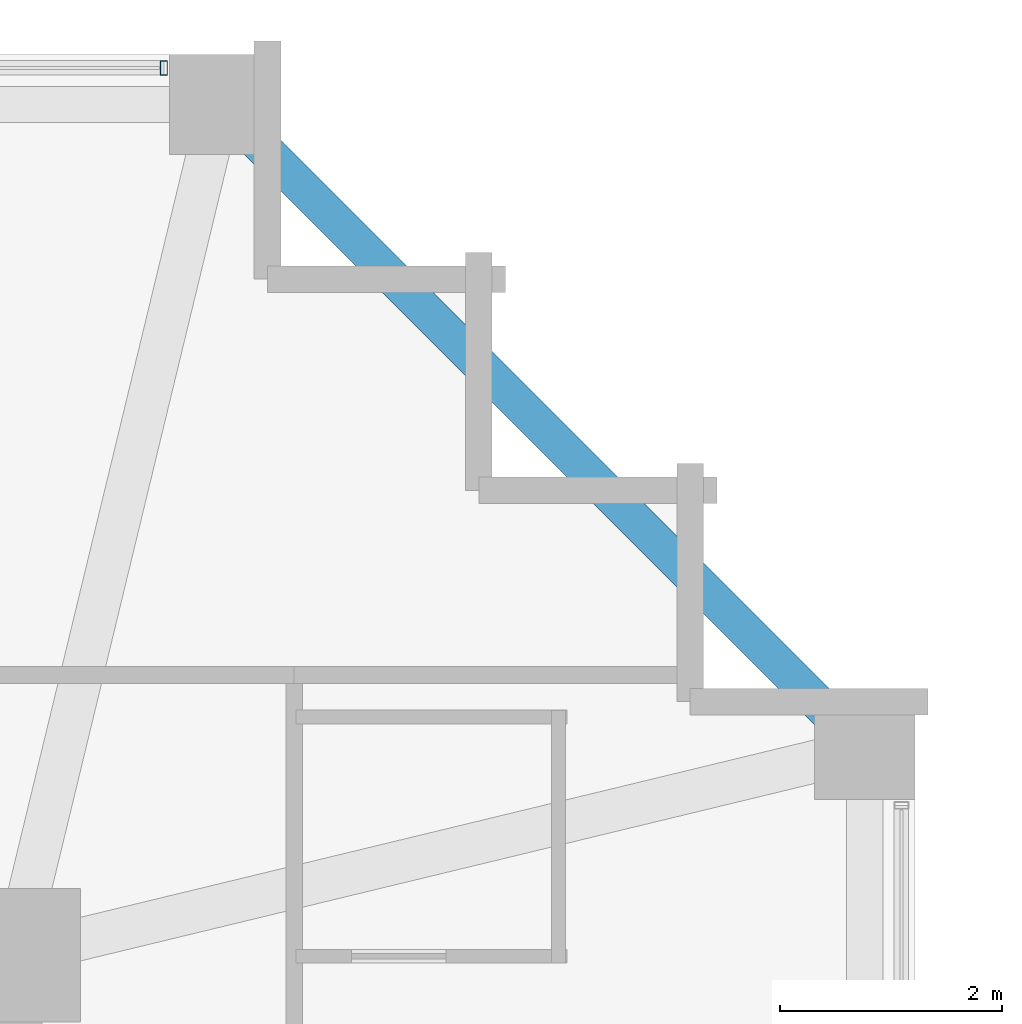
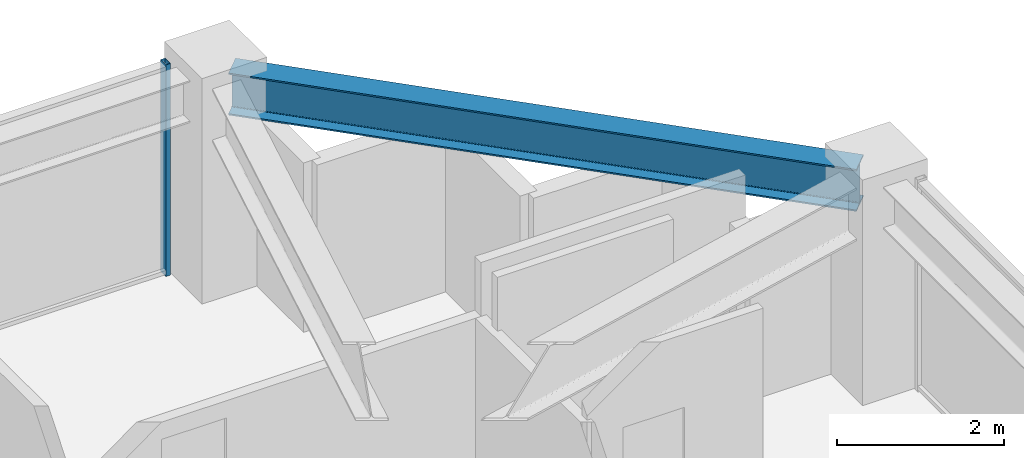
# One storey, part 21 of 32: 1 beam, 1 member, 1 element without a shape of its own.
"""IFC4 building model written with IfcOpenShell, lengths in metres."""

from ifc_helpers import new_model, si_unit, direction, frame, origin, origin_2d, place, context, subcontext, project, spatial, hollow_rectangle, i_section, extrude, material, material_profile, profile_set, type_object, element, aggregate, save


model = new_model("IFC4")

# Units and contexts
model_context = context("Model", 3, precision=1e-05, world=origin(), true_north=direction((0.0, 1.0)))
body_context = subcontext(model_context, "Body", "Model", "MODEL_VIEW")
ifc_project = project(units=[si_unit("LENGTHUNIT", "METRE"), si_unit("AREAUNIT", "SQUARE_METRE"), si_unit("VOLUMEUNIT", "CUBIC_METRE"), si_unit("PLANEANGLEUNIT", "RADIAN"), si_unit("MASSUNIT", "GRAM", prefix="KILO")], contexts=[model_context])

# Site, building, storey
site_placement = place(None, origin())
site = spatial("IfcSite", under=ifc_project, at=site_placement, CompositionType="ELEMENT")
building_placement = place(site_placement, origin())
building = spatial("IfcBuilding", under=site, at=building_placement, Name="Kolvaren Belvedere", CompositionType="ELEMENT")
storey_placement = place(building_placement, frame((0.0, 0.0, 141.5)))
storey = spatial("IfcBuildingStorey", under=building, at=storey_placement, Name="L41", CompositionType="ELEMENT", Elevation=141.5)

# Beam
ifc_material_1 = material(Name="Structural steel ASTM A992 Grade 50", Category="steel")
ifc_material_profile_1 = material_profile(ifc_material_1, i_section(OverallWidth=0.324951171875, OverallDepth=0.615966796875, WebThickness=0.013916015625, FlangeThickness=0.021484375, FilletRadius=0.02001953125, at=origin_2d()), Name="W24X117")
ifc_profile_set_1 = profile_set([ifc_material_profile_1], Name="Structural steel ASTM A992 Grade 50")
beam_type = type_object("IfcBeamType", Name="BM-SPAN-W24X117", PredefinedType="SPANDREL", material=ifc_profile_set_1)
beam_placement = place(storey_placement, frame((17.40673828125, 11.893310546875, 2.7919921875), z_axis=(-0.707106781187, 0.707106781187, 0.0), x_axis=(-0.707106781187, -0.707106781187, 0.0)))
element("IfcBeam", 1, at=beam_placement, inside=storey, type_object=beam_type, Name="L41 Perimeter Spandrel E4-N4", PredefinedType="SPANDREL", context=body_context, shape_type="SweptSolid", body=[
    extrude(i_section(OverallWidth=0.324951171875, OverallDepth=0.615966796875, WebThickness=0.013916015625, FlangeThickness=0.021484375, FilletRadius=0.02001953125, at=origin_2d()), origin(), (0.0, 0.0, 1.0), 7.797119140625),
])

# Curtain wall, member
ifc_material_2 = material(Name="Anodised pale-metal aluminium AA 6063-T6", Category="aluminium")
curtain_wall_type = type_object("IfcCurtainWallType", Name="CW-Z3-WAIST", PredefinedType="NOTDEFINED", material=ifc_material_2)
curtain_wall_placement = place(storey_placement, origin())
curtain_wall = element("IfcCurtainWall", 2, at=curtain_wall_placement, inside=storey, type_object=curtain_wall_type, Name="L41 Unitised Curtain Wall FCW-L41-N-B3", PredefinedType="NOTDEFINED")
ifc_material_3 = material(Name="Anodised pale-metal aluminium AA 6063-T6", Category="aluminium")
ifc_material_profile_2 = material_profile(ifc_material_3, hollow_rectangle(XDim=0.06494140625, YDim=0.1298828125, WallThickness=0.00390625, at=origin_2d()), Name="ALU-MUL-130X65")
ifc_profile_set_2 = profile_set([ifc_material_profile_2], Name="Anodised pale-metal aluminium AA 6063-T6")
member_type = type_object("IfcMemberType", Name="CW-MUL-130", PredefinedType="MULLION", material=ifc_profile_set_2)
member_placement = place(storey_placement, frame((11.24755859375, 17.8798828125, 0.0), z_axis=(0.0, 0.0, 1.0), x_axis=(1.0, 0.0, 0.0)))
member = element("IfcMember", 3, at=member_placement, type_object=member_type, Name="FCW-L41-N-B3 Unitised Mullion 3", PredefinedType="MULLION", context=body_context, shape_type="SweptSolid", body=[
    extrude(hollow_rectangle(XDim=0.06494140625, YDim=0.1298828125, WallThickness=0.00390625, at=origin_2d()), origin(), (0.0, 0.0, 1.0), 3.10009765625),
])
aggregate(curtain_wall, [member])

save(model, "model.ifc")
